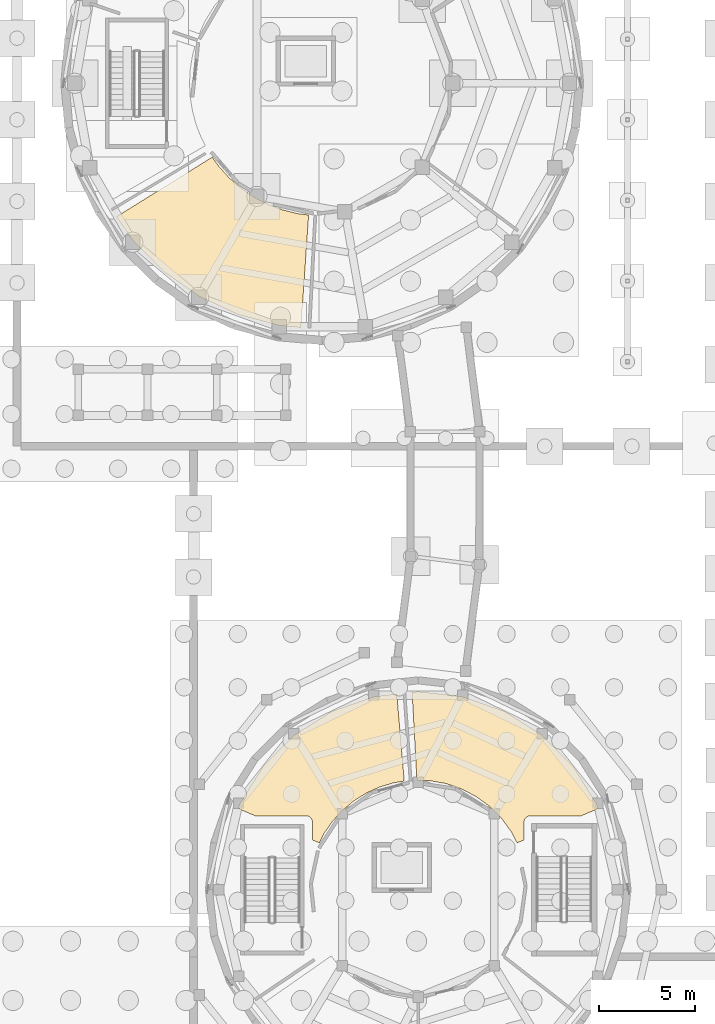
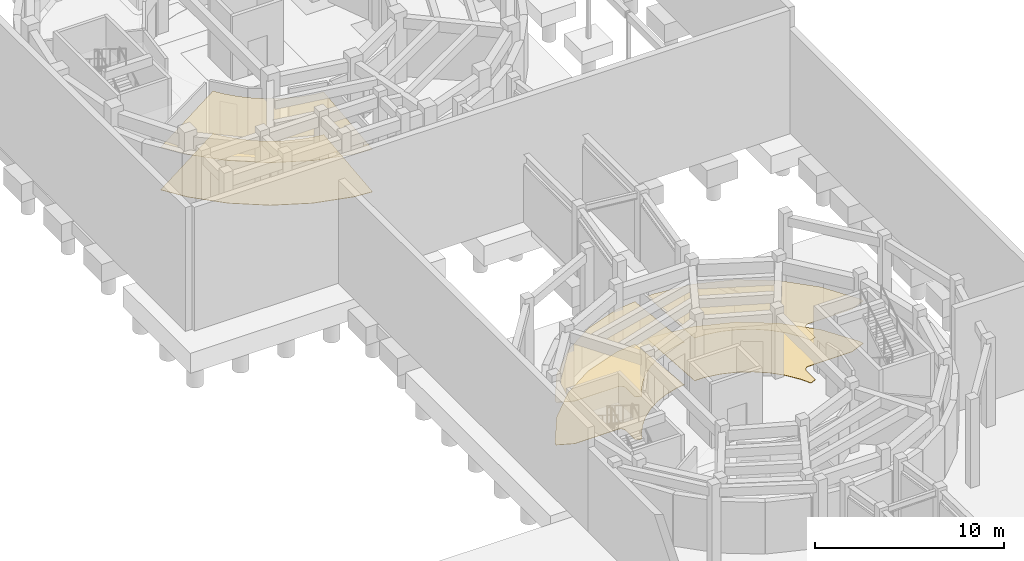
# One storey, part 53 of 57: 6 coverings.
"""IFC4 building model written with IfcOpenShell, lengths in metres."""

from ifc_helpers import new_model, si_unit, direction, frame, origin, place, context, subcontext, project, spatial, polyline, outline, extrude, material, layer, layer_set, type_object, element, save


model = new_model("IFC4")

# Units and contexts
model_context = context("Model", 3, precision=1e-05, world=origin(), true_north=direction((0.0, 1.0)))
body_context = subcontext(model_context, "Body", "Model", "MODEL_VIEW")
ifc_project = project(units=[si_unit("LENGTHUNIT", "METRE"), si_unit("AREAUNIT", "SQUARE_METRE"), si_unit("VOLUMEUNIT", "CUBIC_METRE"), si_unit("PLANEANGLEUNIT", "RADIAN"), si_unit("MASSUNIT", "GRAM", prefix="KILO")], contexts=[model_context])

# Site, building, storey
site_placement = place(None, origin())
site = spatial("IfcSite", under=ifc_project, at=site_placement, CompositionType="ELEMENT")
building_placement = place(site_placement, origin())
building = spatial("IfcBuilding", under=site, at=building_placement, Name="Aldenvaro Health Centre", CompositionType="ELEMENT")
storey_placement = place(building_placement, frame((0.0, 0.0, -4.550048828125)))
storey = spatial("IfcBuildingStorey", under=building, at=storey_placement, Name="B1", CompositionType="ELEMENT", Elevation=-4.550048828125)

# Coverings
ifc_material_1 = material(Name="Antimicrobial Mineral Fibre Ceiling")
ifc_layer_1 = layer(ifc_material_1, 0.01806640625, Name="Antimicrobial Mineral Fibre Ceiling")
ifc_layer_set_1 = layer_set([ifc_layer_1], Name="Antimicrobial Mineral Fibre Ceiling")
covering_type_1 = type_object("IfcCoveringType", Name="COV-CLG-ACT18", PredefinedType="CEILING", material=ifc_layer_set_1)
covering_1_placement = place(storey_placement, frame((0.0, 0.0, 2.75)))
element("IfcCovering", 1, at=covering_1_placement, inside=storey, type_object=covering_type_1, Name="D3-B1-R01 Suspended Ceiling", PredefinedType="CEILING", context=body_context, shape_type="SweptSolid", body=[
    extrude(outline(polyline([(28.367919921875, 60.48193359375), (28.35888671875, 60.498046875), (28.34912109375, 60.513916015625), (27.85693359375, 61.18994140625), (27.844970703125, 61.205078125), (27.8330078125, 61.218017578125), (27.242919921875, 61.81201171875), (27.22900390625, 61.823974609375), (27.215087890625, 61.8359375), (26.541015625, 62.33203125), (26.52587890625, 62.342041015625), (26.510009765625, 62.35107421875), (25.76806640625, 62.739013671875), (25.751953125, 62.7470703125), (25.735107421875, 62.75390625), (24.94189453125, 63.02392578125), (24.925048828125, 63.029052734375), (24.906982421875, 63.032958984375), (24.0830078125, 63.178955078125), (24.06494140625, 63.181884765625), (24.0458984375, 63.18310546875), (23.431884765625, 63.197021484375), (23.18310546875, 67.781982421875), (23.5, 67.818115234375), (25.7958984375, 67.55908203125), (27.97705078125, 66.7958984375), (29.93310546875, 65.56689453125), (31.56689453125, 63.93310546875), (32.7958984375, 61.97705078125), (32.884033203125, 61.72509765625), (31.97412109375, 61.340087890625), (29.330078125, 61.340087890625), (29.318115234375, 61.340087890625), (29.31005859375, 61.339111328125), (29.287109375, 61.3369140625), (29.279052734375, 61.3359375), (29.256103515625, 61.3310546875), (29.248046875, 61.3291015625), (29.22607421875, 61.322998046875), (29.218994140625, 61.320068359375), (29.197021484375, 61.31103515625), (29.18994140625, 61.30810546875), (29.1689453125, 61.2958984375), (29.162109375, 61.2919921875), (29.14306640625, 61.279052734375), (29.135986328125, 61.27490234375), (29.117919921875, 61.260009765625), (29.112060546875, 61.25390625), (29.095947265625, 61.238037109375), (29.090087890625, 61.23193359375), (29.074951171875, 61.214111328125), (29.071044921875, 61.20703125), (29.05810546875, 61.18798828125), (29.053955078125, 61.180908203125), (29.0419921875, 61.159912109375), (29.0390625, 61.153076171875), (29.030029296875, 61.131103515625), (29.027099609375, 61.1240234375), (29.02099609375, 61.10205078125), (29.01904296875, 61.093994140625), (29.013916015625, 61.071044921875), (29.012939453125, 61.06298828125), (29.010986328125, 61.0400390625), (29.010009765625, 61.031982421875), (29.010009765625, 61.02001953125), (29.010009765625, 60.087890625), (28.64990234375, 59.93603515625), (28.367919921875, 60.48193359375)])), origin(), (0.0, 0.0, 1.0), 0.01806640625),
])
covering_2_placement = place(storey_placement, frame((0.0, 0.0, 2.75)))
element("IfcCovering", 2, at=covering_2_placement, inside=storey, type_object=covering_type_1, Name="D3-B1-R02 Suspended Ceiling", PredefinedType="CEILING", context=body_context, shape_type="SweptSolid", body=[
    extrude(outline(polyline([(22.262939453125, 63.073974609375), (22.23095703125, 63.06689453125), (21.52001953125, 62.85498046875), (21.489990234375, 62.843994140625), (20.81396484375, 62.5380859375), (20.784912109375, 62.52294921875), (20.156982421875, 62.12890625), (20.131103515625, 62.10888671875), (19.56201171875, 61.634033203125), (19.5380859375, 61.611083984375), (19.0390625, 61.06298828125), (19.01904296875, 61.0380859375), (18.597900390625, 60.427001953125), (18.5810546875, 60.39892578125), (18.347900390625, 59.93701171875), (17.989990234375, 60.087890625), (17.989990234375, 61.02001953125), (17.989990234375, 61.031982421875), (17.989013671875, 61.0400390625), (17.987060546875, 61.06298828125), (17.986083984375, 61.071044921875), (17.98095703125, 61.093994140625), (17.97900390625, 61.10205078125), (17.972900390625, 61.1240234375), (17.969970703125, 61.131103515625), (17.9609375, 61.153076171875), (17.9580078125, 61.159912109375), (17.946044921875, 61.180908203125), (17.94189453125, 61.18798828125), (17.928955078125, 61.20703125), (17.925048828125, 61.214111328125), (17.909912109375, 61.23193359375), (17.904052734375, 61.238037109375), (17.887939453125, 61.25390625), (17.882080078125, 61.260009765625), (17.864013671875, 61.27490234375), (17.85693359375, 61.279052734375), (17.837890625, 61.2919921875), (17.8310546875, 61.2958984375), (17.81005859375, 61.30810546875), (17.802978515625, 61.31103515625), (17.781005859375, 61.320068359375), (17.77392578125, 61.322998046875), (17.751953125, 61.3291015625), (17.743896484375, 61.3310546875), (17.720947265625, 61.3359375), (17.712890625, 61.3369140625), (17.68994140625, 61.339111328125), (17.681884765625, 61.340087890625), (17.669921875, 61.340087890625), (15.02587890625, 61.340087890625), (14.115966796875, 61.72509765625), (14.2041015625, 61.97705078125), (15.43310546875, 63.93310546875), (17.06689453125, 65.56689453125), (19.02294921875, 66.7958984375), (21.2041015625, 67.55908203125), (22.385009765625, 67.69189453125), (22.77392578125, 63.153076171875), (22.262939453125, 63.073974609375)])), origin(), (0.0, 0.0, 1.0), 0.01806640625),
])
covering_3_placement = place(storey_placement, frame((0.0, 0.0, 2.75)))
element("IfcCovering", 3, at=covering_3_placement, inside=storey, type_object=covering_type_1, Name="D4-B1-R04 Suspended Ceiling", PredefinedType="CEILING", context=body_context, shape_type="SweptSolid", body=[
    extrude(outline(polyline([(13.096923828125, 95.193115234375), (13.114990234375, 95.1708984375), (13.64306640625, 94.5859375), (13.6630859375, 94.56591796875), (14.256103515625, 94.047119140625), (14.279052734375, 94.030029296875), (14.928955078125, 93.5849609375), (14.952880859375, 93.570068359375), (15.652099609375, 93.205078125), (15.677978515625, 93.193115234375), (16.4140625, 92.9130859375), (16.44189453125, 92.904052734375), (17.2060546875, 92.712890625), (17.23388671875, 92.70703125), (17.7919921875, 92.635986328125), (17.39208984375, 86.778076171875), (16.27392578125, 86.8759765625), (14.115966796875, 87.4541015625), (12.091064453125, 88.39794921875), (10.260009765625, 89.679931640625), (8.679931640625, 91.260009765625), (7.780029296875, 92.544921875), (12.77197265625, 95.652099609375), (13.096923828125, 95.193115234375)])), origin(), (0.0, 0.0, 1.0), 0.01806640625),
])
ifc_material_2 = material(Name="Polished Epoxy Terrazzo Flooring")
ifc_layer_2 = layer(ifc_material_2, 0.02197265625, Name="Polished Epoxy Terrazzo Flooring")
ifc_layer_set_2 = layer_set([ifc_layer_2], Name="Polished Epoxy Terrazzo Flooring")
covering_type_2 = type_object("IfcCoveringType", Name="COV-FLR-TER22", PredefinedType="FLOORING", material=ifc_layer_set_2)
covering_4_placement = place(storey_placement, origin())
element("IfcCovering", 4, at=covering_4_placement, inside=storey, type_object=covering_type_2, Name="D3-B1-R01 Flooring", PredefinedType="FLOORING", context=body_context, shape_type="SweptSolid", body=[
    extrude(outline(polyline([(28.367919921875, 60.48193359375), (28.35888671875, 60.498046875), (28.34912109375, 60.513916015625), (27.85693359375, 61.18994140625), (27.844970703125, 61.205078125), (27.8330078125, 61.218017578125), (27.242919921875, 61.81201171875), (27.22900390625, 61.823974609375), (27.215087890625, 61.8359375), (26.541015625, 62.33203125), (26.52587890625, 62.342041015625), (26.510009765625, 62.35107421875), (25.76806640625, 62.739013671875), (25.751953125, 62.7470703125), (25.735107421875, 62.75390625), (24.94189453125, 63.02392578125), (24.925048828125, 63.029052734375), (24.906982421875, 63.032958984375), (24.0830078125, 63.178955078125), (24.06494140625, 63.181884765625), (24.0458984375, 63.18310546875), (23.431884765625, 63.197021484375), (23.18310546875, 67.781982421875), (23.5, 67.818115234375), (25.7958984375, 67.55908203125), (27.97705078125, 66.7958984375), (29.93310546875, 65.56689453125), (31.56689453125, 63.93310546875), (32.7958984375, 61.97705078125), (32.884033203125, 61.72509765625), (31.97412109375, 61.340087890625), (29.330078125, 61.340087890625), (29.318115234375, 61.340087890625), (29.31005859375, 61.339111328125), (29.287109375, 61.3369140625), (29.279052734375, 61.3359375), (29.256103515625, 61.3310546875), (29.248046875, 61.3291015625), (29.22607421875, 61.322998046875), (29.218994140625, 61.320068359375), (29.197021484375, 61.31103515625), (29.18994140625, 61.30810546875), (29.1689453125, 61.2958984375), (29.162109375, 61.2919921875), (29.14306640625, 61.279052734375), (29.135986328125, 61.27490234375), (29.117919921875, 61.260009765625), (29.112060546875, 61.25390625), (29.095947265625, 61.238037109375), (29.090087890625, 61.23193359375), (29.074951171875, 61.214111328125), (29.071044921875, 61.20703125), (29.05810546875, 61.18798828125), (29.053955078125, 61.180908203125), (29.0419921875, 61.159912109375), (29.0390625, 61.153076171875), (29.030029296875, 61.131103515625), (29.027099609375, 61.1240234375), (29.02099609375, 61.10205078125), (29.01904296875, 61.093994140625), (29.013916015625, 61.071044921875), (29.012939453125, 61.06298828125), (29.010986328125, 61.0400390625), (29.010009765625, 61.031982421875), (29.010009765625, 61.02001953125), (29.010009765625, 60.087890625), (28.64990234375, 59.93603515625), (28.367919921875, 60.48193359375)])), origin(), (0.0, 0.0, 1.0), 0.02197265625),
])
covering_5_placement = place(storey_placement, origin())
element("IfcCovering", 5, at=covering_5_placement, inside=storey, type_object=covering_type_2, Name="D3-B1-R02 Flooring", PredefinedType="FLOORING", context=body_context, shape_type="SweptSolid", body=[
    extrude(outline(polyline([(22.262939453125, 63.073974609375), (22.23095703125, 63.06689453125), (21.52001953125, 62.85498046875), (21.489990234375, 62.843994140625), (20.81396484375, 62.5380859375), (20.784912109375, 62.52294921875), (20.156982421875, 62.12890625), (20.131103515625, 62.10888671875), (19.56201171875, 61.634033203125), (19.5380859375, 61.611083984375), (19.0390625, 61.06298828125), (19.01904296875, 61.0380859375), (18.597900390625, 60.427001953125), (18.5810546875, 60.39892578125), (18.347900390625, 59.93701171875), (17.989990234375, 60.087890625), (17.989990234375, 61.02001953125), (17.989990234375, 61.031982421875), (17.989013671875, 61.0400390625), (17.987060546875, 61.06298828125), (17.986083984375, 61.071044921875), (17.98095703125, 61.093994140625), (17.97900390625, 61.10205078125), (17.972900390625, 61.1240234375), (17.969970703125, 61.131103515625), (17.9609375, 61.153076171875), (17.9580078125, 61.159912109375), (17.946044921875, 61.180908203125), (17.94189453125, 61.18798828125), (17.928955078125, 61.20703125), (17.925048828125, 61.214111328125), (17.909912109375, 61.23193359375), (17.904052734375, 61.238037109375), (17.887939453125, 61.25390625), (17.882080078125, 61.260009765625), (17.864013671875, 61.27490234375), (17.85693359375, 61.279052734375), (17.837890625, 61.2919921875), (17.8310546875, 61.2958984375), (17.81005859375, 61.30810546875), (17.802978515625, 61.31103515625), (17.781005859375, 61.320068359375), (17.77392578125, 61.322998046875), (17.751953125, 61.3291015625), (17.743896484375, 61.3310546875), (17.720947265625, 61.3359375), (17.712890625, 61.3369140625), (17.68994140625, 61.339111328125), (17.681884765625, 61.340087890625), (17.669921875, 61.340087890625), (15.02587890625, 61.340087890625), (14.115966796875, 61.72509765625), (14.2041015625, 61.97705078125), (15.43310546875, 63.93310546875), (17.06689453125, 65.56689453125), (19.02294921875, 66.7958984375), (21.2041015625, 67.55908203125), (22.385009765625, 67.69189453125), (22.77392578125, 63.153076171875), (22.262939453125, 63.073974609375)])), origin(), (0.0, 0.0, 1.0), 0.02197265625),
])
covering_6_placement = place(storey_placement, origin())
element("IfcCovering", 6, at=covering_6_placement, inside=storey, type_object=covering_type_2, Name="D4-B1-R04 Flooring", PredefinedType="FLOORING", context=body_context, shape_type="SweptSolid", body=[
    extrude(outline(polyline([(13.096923828125, 95.193115234375), (13.114990234375, 95.1708984375), (13.64306640625, 94.5859375), (13.6630859375, 94.56591796875), (14.256103515625, 94.047119140625), (14.279052734375, 94.030029296875), (14.928955078125, 93.5849609375), (14.952880859375, 93.570068359375), (15.652099609375, 93.205078125), (15.677978515625, 93.193115234375), (16.4140625, 92.9130859375), (16.44189453125, 92.904052734375), (17.2060546875, 92.712890625), (17.23388671875, 92.70703125), (17.7919921875, 92.635986328125), (17.39208984375, 86.778076171875), (16.27392578125, 86.8759765625), (14.115966796875, 87.4541015625), (12.091064453125, 88.39794921875), (10.260009765625, 89.679931640625), (8.679931640625, 91.260009765625), (7.780029296875, 92.544921875), (12.77197265625, 95.652099609375), (13.096923828125, 95.193115234375)])), origin(), (0.0, 0.0, 1.0), 0.02197265625),
])

save(model, "model.ifc")
